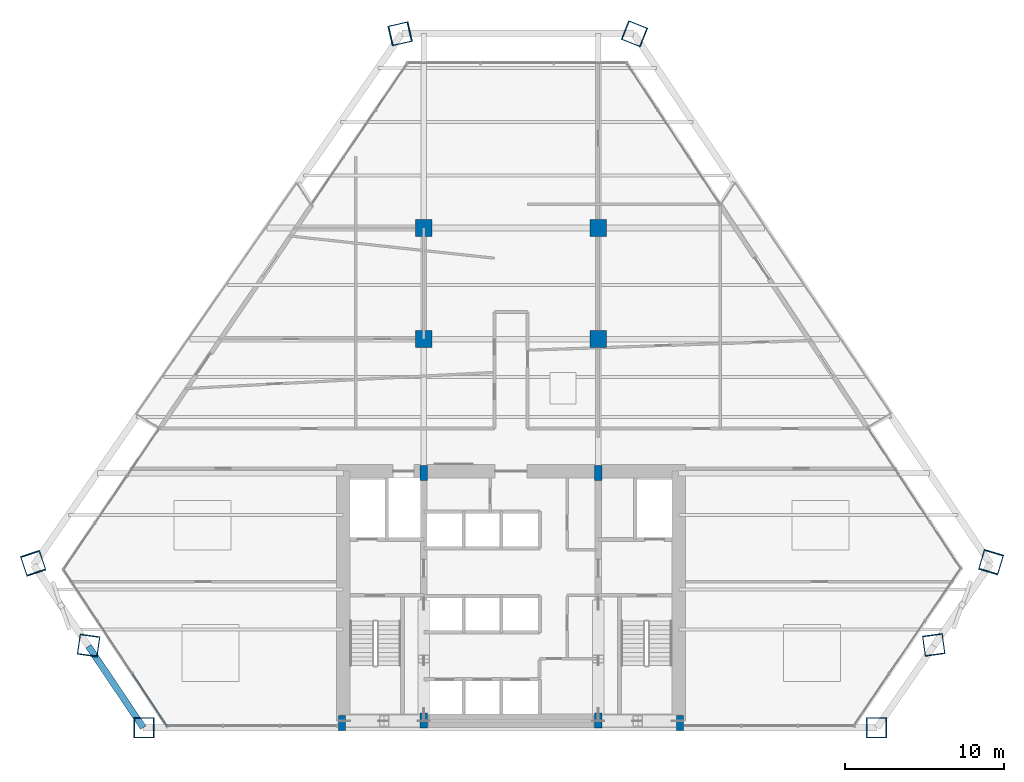
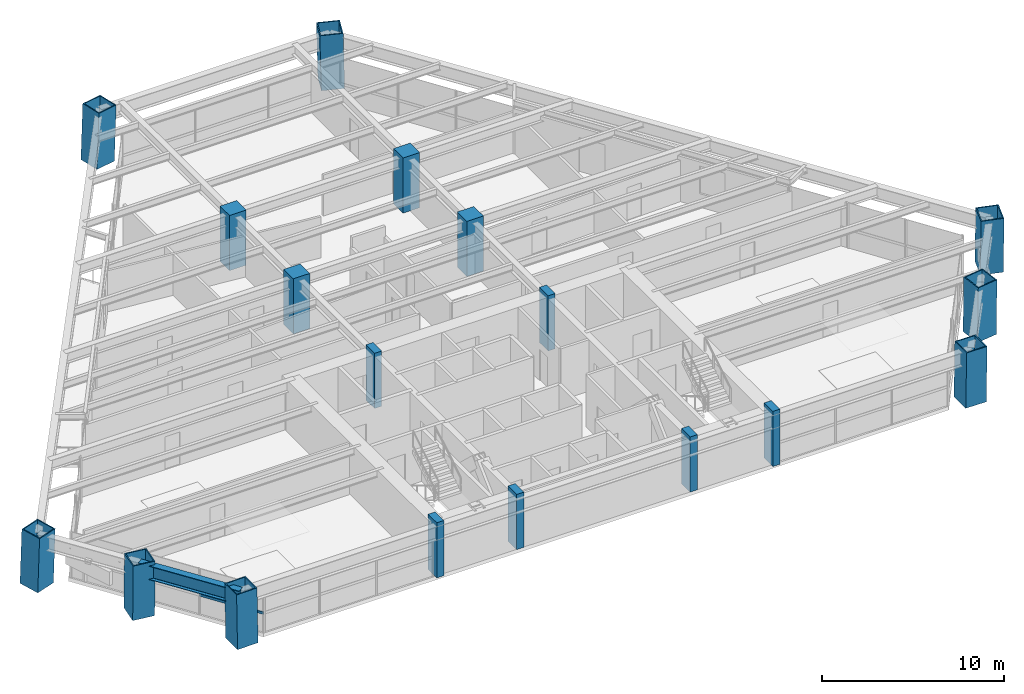
# One storey, part 1 of 14: 18 columns, 1 beam, 1 member, 1 element without a shape of its own.
"""IFC4 building model written with IfcOpenShell, lengths in metres."""

from ifc_helpers import new_model, si_unit, direction, frame, origin, origin_2d, place, context, subcontext, project, spatial, rectangle, hollow_rectangle, i_section, extrude, source, transform, mapped, material, material_profile, profile_set, type_object, element, aggregate, save


model = new_model("IFC4")

# Units and contexts
model_context = context("Model", 3, precision=1e-05, world=origin(), true_north=direction((0.0, 1.0)))
body_context = subcontext(model_context, "Body", "Model", "MODEL_VIEW")
ifc_project = project(units=[si_unit("LENGTHUNIT", "METRE"), si_unit("AREAUNIT", "SQUARE_METRE"), si_unit("VOLUMEUNIT", "CUBIC_METRE"), si_unit("PLANEANGLEUNIT", "RADIAN"), si_unit("MASSUNIT", "GRAM", prefix="KILO")], contexts=[model_context])

# Site, building, storey
site_placement = place(None, origin())
site = spatial("IfcSite", under=ifc_project, at=site_placement, CompositionType="ELEMENT")
building_placement = place(site_placement, origin())
building = spatial("IfcBuilding", under=site, at=building_placement, Name="Varnakhor Terracotta Tower", CompositionType="ELEMENT")
storey_placement = place(building_placement, frame((0.0, 0.0, 64.5)))
storey = spatial("IfcBuildingStorey", under=building, at=storey_placement, Name="L15", CompositionType="ELEMENT", Elevation=64.5)

# Columns
ifc_material_1 = material(Name="Concrete C50/60", Category="concrete")
ifc_material_profile_1 = material_profile(ifc_material_1, rectangle(XDim=0.449951171875, YDim=0.949951171875, at=origin_2d()), Name="RC PILASTER 950x450")
ifc_profile_set_1 = profile_set([ifc_material_profile_1], Name="Concrete C50/60")
column_type_1 = type_object("IfcColumnType", Name="COL-PIL-950x450", PredefinedType="PILASTER", material=ifc_profile_set_1)
shared_shape_1 = source(origin(), body_context, "Body", "SweptSolid", [
    extrude(rectangle(XDim=0.449951171875, YDim=0.949951171875, at=origin_2d()), origin(), (0.0, 0.0, 1.0), 3.699951171875),
])
for number, where, z_axis, x_axis, name in (
    (1, (-10.64990234375, 0.300048828125, 0.0), (0.0, 0.0, 1.0), (1.0, 0.0, 0.0), "L15 Core Pilaster CP1"),
    (2, (-5.5, 0.449951171875, 0.0), (0.0, 0.0, 1.0), (1.0, 0.0, 0.0), "L15 Core Pilaster CP2"),
    (3, (5.5, 0.449951171875, 0.0), (0.0, 0.0, 1.0), (1.0, 0.0, 0.0), "L15 Core Pilaster CP3"),
    (4, (10.64990234375, 0.300048828125, 0.0), (0.0, 0.0, 1.0), (1.0, 0.0, 0.0), "L15 Core Pilaster CP4"),
    (5, (-5.5, 16.050048828125, 0.0), (0.0, 0.0, 1.0), (1.0, 0.0, 0.0), "L15 Core Pilaster CP5"),
    (6, (5.5, 16.050048828125, 0.0), (0.0, 0.0, 1.0), (1.0, 0.0, 0.0), "L15 Core Pilaster CP6"),
):
    element("IfcColumn", number, at=place(storey_placement, frame(where, z_axis=z_axis, x_axis=x_axis)), inside=storey, type_object=column_type_1, Name=name, PredefinedType="PILASTER", context=body_context, shape_type="MappedRepresentation", body=[
        mapped(shared_shape_1, transform((0.0, 0.0, 0.0), scale=1.0)),
    ])
ifc_material_2 = material(Name="Steel S460", Category="steel")
ifc_material_profile_2 = material_profile(ifc_material_2, hollow_rectangle(XDim=1.300048828125, YDim=1.300048828125, WallThickness=0.06494140625, at=origin_2d()), Name="BOX 1300x1300x65")
ifc_profile_set_2 = profile_set([ifc_material_profile_2], Name="Steel S460")
column_type_2 = type_object("IfcColumnType", Name="COL-MEGA-1300", PredefinedType="COLUMN", material=ifc_profile_set_2)
shared_shape_2 = source(origin(), body_context, "Body", "SweptSolid", [
    extrude(hollow_rectangle(XDim=1.300048828125, YDim=1.300048828125, WallThickness=0.06494140625, at=origin_2d()), origin(), (0.0, 0.0, 1.0), 3.691650390625),
])
for number, where, z_axis, x_axis, name in (
    (7, (-23.12548828125, 0.0, 0.00439453125), (-0.016797682577, 0.0, 0.999858908977), (0.0, -1.0, 0.0), "L15 Perimeter Mega-Column M1"),
    (8, (23.0302734375, 0.0, 0.00439453125), (0.01435132298, 0.0, 0.999897014461), (0.0, 1.0, 0.0), "L15 Perimeter Mega-Column M2"),
    (9, (26.652587890625, 5.22607421875, 0.00439453125), (0.002248517817, -0.016400953491, 0.999862967057), (0.99073267275, 0.135826253522, 0.0), "L15 Perimeter Mega-Column M3"),
    (10, (-26.630615234375, 5.19140625, 0.00439453125), (-0.002513008506, -0.017326532329, 0.999846726286), (0.989645052063, -0.143536305261, 0.0), "L15 Perimeter Mega-Column M8"),
):
    element("IfcColumn", number, at=place(storey_placement, frame(where, z_axis=z_axis, x_axis=x_axis)), inside=storey, type_object=column_type_2, Name=name, PredefinedType="COLUMN", context=body_context, shape_type="MappedRepresentation", body=[
        mapped(shared_shape_2, transform((0.0, 0.0, 0.0), scale=1.0)),
    ])
shared_shape_3 = source(origin(), body_context, "Body", "SweptSolid", [
    extrude(hollow_rectangle(XDim=1.300048828125, YDim=1.300048828125, WallThickness=0.06494140625, at=origin_2d()), origin(), (0.0, 0.0, 1.0), 3.693359375),
])
column_1_placement = place(storey_placement, frame((30.274658203125, 10.452392578125, 0.00439453125), z_axis=(-0.009849350928, -0.032853204102, 0.999411655559), x_axis=(0.957879314476, -0.287171062086, 0.0)))
element("IfcColumn", 11, at=column_1_placement, inside=storey, type_object=column_type_2, Name="L15 Perimeter Mega-Column M4", PredefinedType="COLUMN", context=body_context, shape_type="MappedRepresentation", body=[
    mapped(shared_shape_3, transform((0.0, 0.0, 0.0), scale=1.0)),
])
shared_shape_4 = source(origin(), body_context, "Body", "SweptSolid", [
    extrude(hollow_rectangle(XDim=1.300048828125, YDim=1.300048828125, WallThickness=0.06494140625, at=origin_2d()), origin(), (0.0, 0.0, 1.0), 3.69384765625),
])
column_2_placement = place(storey_placement, frame((-7.013427734375, 43.743896484375, 0.00439453125), z_axis=(0.036946797187, 0.008393995068, 0.999281979736), x_axis=(-0.221545704113, 0.97514998897, 0.0)))
element("IfcColumn", 12, at=column_2_placement, inside=storey, type_object=column_type_2, Name="L15 Perimeter Mega-Column M6", PredefinedType="COLUMN", context=body_context, shape_type="MappedRepresentation", body=[
    mapped(shared_shape_4, transform((0.0, 0.0, 0.0), scale=1.0)),
])
ifc_material_3 = material(Name="Concrete C60/75", Category="concrete")
ifc_material_profile_3 = material_profile(ifc_material_3, rectangle(XDim=1.050048828125, YDim=1.050048828125, at=origin_2d()), Name="RC 1050x1050")
ifc_profile_set_3 = profile_set([ifc_material_profile_3], Name="Concrete C60/75")
column_type_3 = type_object("IfcColumnType", Name="COL-RC-1050", PredefinedType="COLUMN", material=ifc_profile_set_3)
shared_shape_5 = source(origin(), body_context, "Body", "SweptSolid", [
    extrude(rectangle(XDim=1.050048828125, YDim=1.050048828125, at=origin_2d()), origin(), (0.0, 0.0, 1.0), 3.699951171875),
])
for number, where, z_axis, x_axis, name in (
    (13, (-5.5, 24.5, 0.0), (0.0, 0.0, 1.0), (1.0, 0.0, 0.0), "L15 Interior Tower Column IC1"),
    (14, (5.5, 24.5, 0.0), (0.0, 0.0, 1.0), (1.0, 0.0, 0.0), "L15 Interior Tower Column IC2"),
    (15, (-5.5, 31.5, 0.0), (0.0, 0.0, 1.0), (1.0, 0.0, 0.0), "L15 Interior Tower Column IC3"),
    (16, (5.5, 31.5, 0.0), (0.0, 0.0, 1.0), (1.0, 0.0, 0.0), "L15 Interior Tower Column IC4"),
):
    element("IfcColumn", number, at=place(storey_placement, frame(where, z_axis=z_axis, x_axis=x_axis)), inside=storey, type_object=column_type_3, Name=name, PredefinedType="COLUMN", context=body_context, shape_type="MappedRepresentation", body=[
        mapped(shared_shape_5, transform((0.0, 0.0, 0.0), scale=1.0)),
    ])
shared_shape_6 = source(origin(), body_context, "Body", "SweptSolid", [
    extrude(hollow_rectangle(XDim=1.300048828125, YDim=1.300048828125, WallThickness=0.06494140625, at=origin_2d()), origin(), (0.0, 0.0, 1.0), 3.692138671875),
])
column_3_placement = place(storey_placement, frame((7.797119140625, 43.743896484375, 0.00439453125), z_axis=(-0.021292125443, 0.008397825874, 0.999738026642), x_axis=(-0.366903411304, -0.930259042834, 0.0)))
element("IfcColumn", 17, at=column_3_placement, inside=storey, type_object=column_type_2, Name="L15 Perimeter Mega-Column M5", PredefinedType="COLUMN", context=body_context, shape_type="MappedRepresentation", body=[
    mapped(shared_shape_6, transform((0.0, 0.0, 0.0), scale=1.0)),
])
shared_shape_7 = source(origin(), body_context, "Body", "SweptSolid", [
    extrude(hollow_rectangle(XDim=1.300048828125, YDim=1.300048828125, WallThickness=0.06494140625, at=origin_2d()), origin(), (0.0, 0.0, 1.0), 3.693603515625),
])
column_4_placement = place(storey_placement, frame((-30.135498046875, 10.3828125, 0.00439453125), z_axis=(0.011633208997, -0.034635235878, 0.999332311538), x_axis=(0.947957182756, 0.318397832376, 0.0)))
element("IfcColumn", 18, at=column_4_placement, inside=storey, type_object=column_type_2, Name="L15 Perimeter Mega-Column M7", PredefinedType="COLUMN", context=body_context, shape_type="MappedRepresentation", body=[
    mapped(shared_shape_7, transform((0.0, 0.0, 0.0), scale=1.0)),
])

# Beam
ifc_material_4 = material(Name="Steel S355", Category="steel")
ifc_material_profile_4 = material_profile(ifc_material_4, i_section(OverallWidth=0.41796875, OverallDepth=0.927001953125, WebThickness=0.01904296875, FlangeThickness=0.031982421875, FilletRadius=0.01806640625, at=origin_2d()), Name="W36X231")
ifc_profile_set_4 = profile_set([ifc_material_profile_4], Name="Steel S355")
beam_type = type_object("IfcBeamType", Name="BM-W36X231", PredefinedType="BEAM", material=ifc_profile_set_4)
shared_shape_8 = source(origin(), body_context, "Body", "SweptSolid", [
    extrude(i_section(OverallWidth=0.41796875, OverallDepth=0.927001953125, WebThickness=0.01904296875, FlangeThickness=0.031982421875, FilletRadius=0.01806640625, at=origin_2d()), origin(), (0.0, 0.0, 1.0), 6.181396484375),
])
beam_placement = place(storey_placement, frame((-26.639892578125, 5.12744140625, 2.986572265625), z_axis=(0.558513315389, -0.829495555463, 0.0), x_axis=(0.829495555463, 0.558513315389, 0.0)))
element("IfcBeam", 19, at=beam_placement, inside=storey, type_object=beam_type, Name="L15 Perimeter Spandrel 8", PredefinedType="BEAM", context=body_context, shape_type="MappedRepresentation", body=[
    mapped(shared_shape_8, transform((0.0, 0.0, 0.0), scale=1.0)),
])

# Curtain wall, member
ifc_material_5 = material(Name="Anodised Aluminium Curtain Wall System", Category="aluminium")
curtain_wall_type = type_object("IfcCurtainWallType", Name="CW-SYS-LOW-OFFICE", PredefinedType="NOTDEFINED", material=ifc_material_5)
curtain_wall_placement = place(storey_placement, origin())
curtain_wall = element("IfcCurtainWall", 20, at=curtain_wall_placement, inside=storey, type_object=curtain_wall_type, Name="L15 Facet Curtain Wall 6", PredefinedType="NOTDEFINED")
ifc_material_6 = material(Name="Anodised Aluminium 6063-T6", Category="aluminium")
ifc_material_profile_5 = material_profile(ifc_material_6, rectangle(XDim=0.074951171875, YDim=0.1650390625, at=origin_2d()), Name="ALU TRANSOM 75x165")
ifc_profile_set_5 = profile_set([ifc_material_profile_5], Name="Anodised Aluminium 6063-T6")
member_type = type_object("IfcMemberType", Name="CWT-02", PredefinedType="USERDEFINED", material=ifc_profile_set_5)
shared_shape_9 = source(origin(), body_context, "Body", "SweptSolid", [
    extrude(rectangle(XDim=0.074951171875, YDim=0.1650390625, at=origin_2d()), origin(), (0.0, 0.0, 1.0), 3.965087890625),
])
member_placement = place(storey_placement, frame((-21.678955078125, 0.09130859375, 1.272705078125), z_axis=(-0.551385079059, 0.83425085831, 0.0), x_axis=(-0.83425085831, -0.551385079059, 0.0)))
member = element("IfcMember", 21, at=member_placement, type_object=member_type, Name="L15 Facet Curtain Wall 6 Transom 1", ObjectType="TRANSOM", PredefinedType="USERDEFINED", context=body_context, shape_type="MappedRepresentation", body=[
    mapped(shared_shape_9, transform((0.0, 0.0, 0.0), scale=1.0)),
])
aggregate(curtain_wall, [member])

save(model, "model.ifc")
